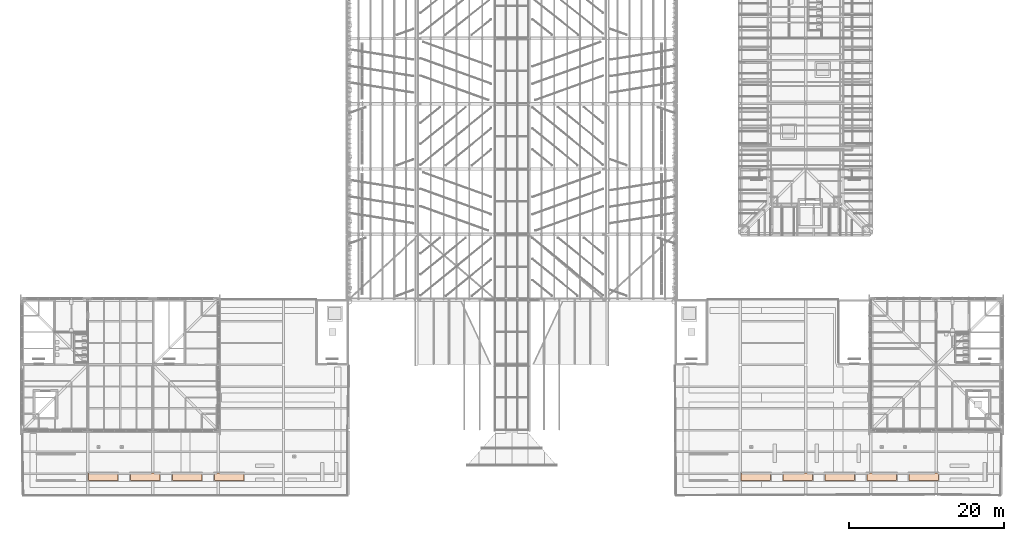
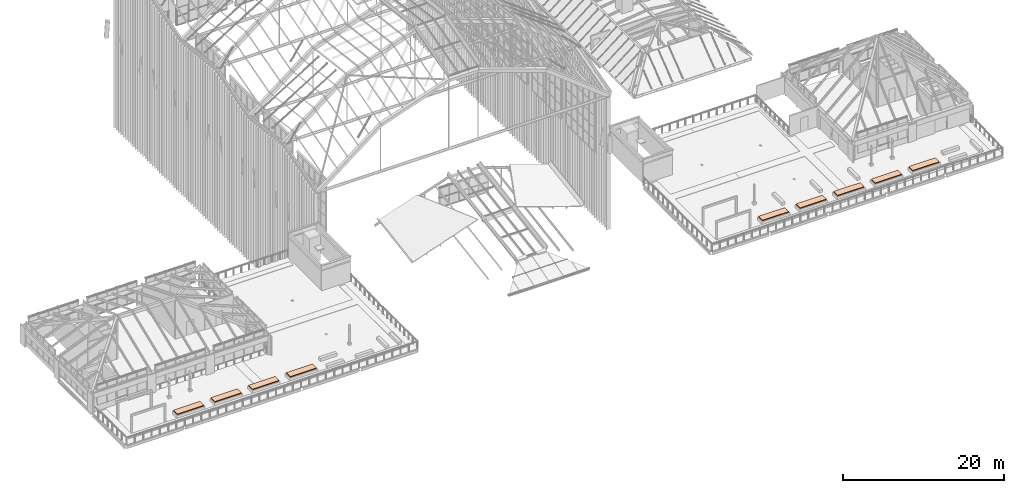
# One storey, part 126 of 126: 9 geographic elements.
"""IFC4 building model written with IfcOpenShell, lengths in metres."""

from ifc_helpers import new_model, si_unit, direction, frame, origin, origin_2d, place, context, subcontext, project, spatial, rectangle, extrude, material, type_object, element, save


model = new_model("IFC4")

# Units and contexts
model_context = context("Model", 3, precision=1e-05, world=origin(), true_north=direction((0.0, 1.0)))
body_context = subcontext(model_context, "Body", "Model", "MODEL_VIEW")
ifc_project = project(units=[si_unit("LENGTHUNIT", "METRE"), si_unit("AREAUNIT", "SQUARE_METRE"), si_unit("VOLUMEUNIT", "CUBIC_METRE"), si_unit("PLANEANGLEUNIT", "RADIAN"), si_unit("MASSUNIT", "GRAM", prefix="KILO")], contexts=[model_context])

# Site, building, storey
site_placement = place(None, origin())
site = spatial("IfcSite", under=ifc_project, at=site_placement, CompositionType="ELEMENT")
building_placement = place(site_placement, origin())
building = spatial("IfcBuilding", under=site, at=building_placement, Name="Sava Quay Ferry Terminal", CompositionType="ELEMENT")
storey_placement = place(building_placement, frame((0.0, 0.0, 15.0)))
storey = spatial("IfcBuildingStorey", under=building, at=storey_placement, Name="L03", CompositionType="ELEMENT", Elevation=15.0)

# Geographic elements
ifc_material = material(Name="Turf and topsoil")
geographic_element_type = type_object("IfcGeographicElementType", Name="Planting bed 150", PredefinedType="TERRAIN", material=ifc_material)
for number, where, z_axis, x_axis, name in (
    (1, (94.39990234375, 27.60009765625, 0.449951171875), (0.0, 0.0, 1.0), (1.0, 0.0, 0.0), "Planting bed"),
    (2, (99.800048828125, 27.60009765625, 0.449951171875), (0.0, 0.0, 1.0), (1.0, 0.0, 0.0), "Planting bed"),
    (3, (105.199951171875, 27.60009765625, 0.449951171875), (0.0, 0.0, 1.0), (1.0, 0.0, 0.0), "Planting bed"),
    (4, (110.60009765625, 27.60009765625, 0.449951171875), (0.0, 0.0, 1.0), (1.0, 0.0, 0.0), "Planting bed"),
    (5, (116.0, 27.60009765625, 0.449951171875), (0.0, 0.0, 1.0), (1.0, 0.0, 0.0), "Planting bed"),
    (6, (10.39990234375, 27.60009765625, 0.449951171875), (0.0, 0.0, 1.0), (1.0, 0.0, 0.0), "Planting bed"),
    (7, (15.800048828125, 27.60009765625, 0.449951171875), (0.0, 0.0, 1.0), (1.0, 0.0, 0.0), "Planting bed"),
    (8, (21.199951171875, 27.60009765625, 0.449951171875), (0.0, 0.0, 1.0), (1.0, 0.0, 0.0), "Planting bed"),
    (9, (26.60009765625, 27.60009765625, 0.449951171875), (0.0, 0.0, 1.0), (1.0, 0.0, 0.0), "Planting bed"),
):
    element("IfcGeographicElement", number, at=place(storey_placement, frame(where, z_axis=z_axis, x_axis=x_axis)), inside=storey, type_object=geographic_element_type, Name=name, PredefinedType="TERRAIN", context=body_context, shape_type="SweptSolid", body=[
        extrude(rectangle(XDim=3.800048828125, YDim=1.0, at=origin_2d()), origin(), (0.0, 0.0, 1.0), 0.14990234375),
    ])

save(model, "model.ifc")
